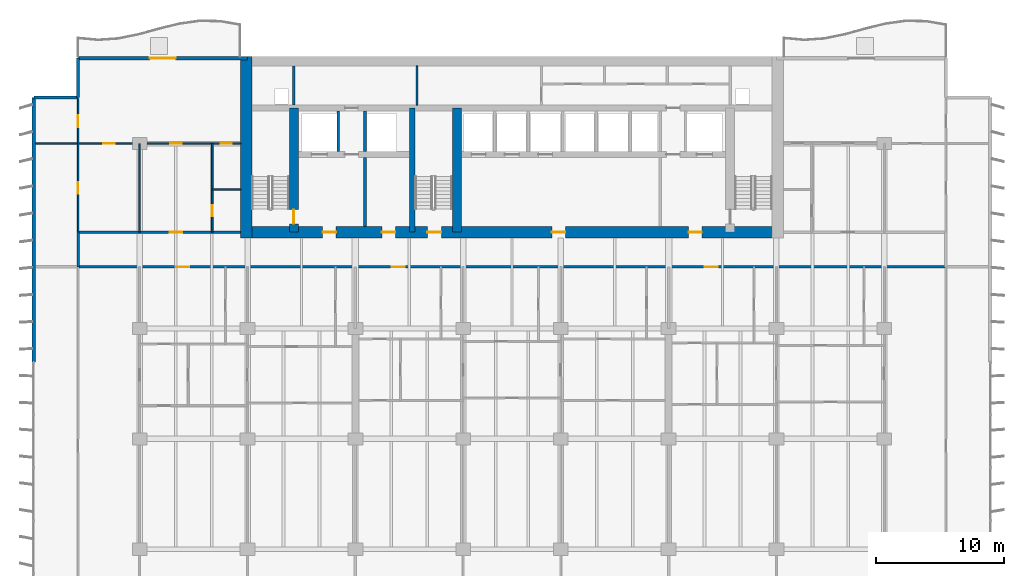
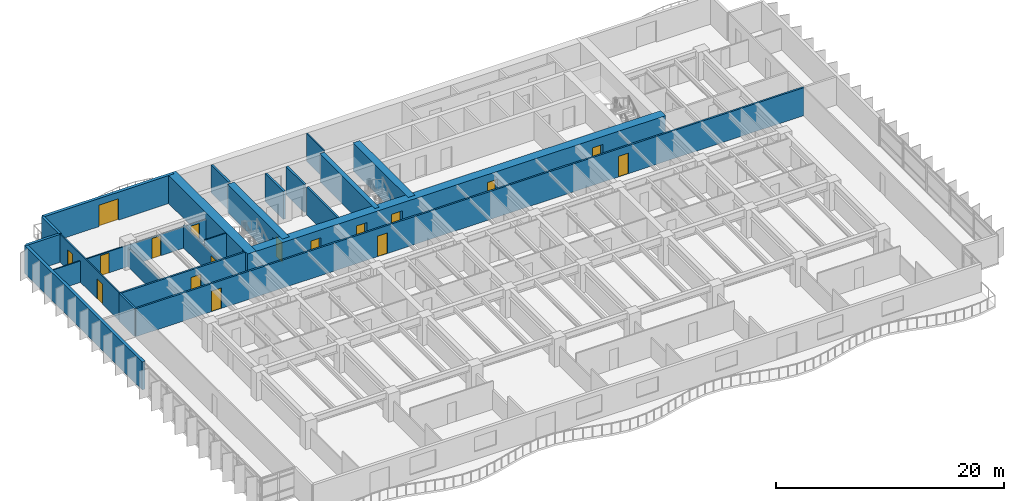
# One storey, part 9 of 15: 22 walls, 17 doors, 17 openings.
"""IFC4 building model written with IfcOpenShell, lengths in metres."""

import ifcopenshell
import ifcopenshell.guid

model = None  # the IFC model being written
_history = None  # IfcOwnerHistory: only IFC2X3 demands one
_inside = {}  # id of a spatial element -> (the spatial element, [elements in it])
_under = {}  # id of a project, library or spatial element -> (it, [spatial elements below it])
_declared = {}  # id of a project -> (the project, [libraries it declares])
_typed = {}  # id of a type object -> (the type object, [elements of that type])
_made_of = {}  # id of a material, layer set ... -> (it, [elements and type objects made of it])


def new_model(schema):
    """Start an empty IFC model of exactly this schema.

    Asked for "IFC4X3", IfcOpenShell would pick the latest addendum, in which some entities
    have other attributes; the version numbers below select the first issue.
    IFC2X3 requires an IfcOwnerHistory on every rooted entity: one is made here for all.
    """
    global model, _history
    if schema == "IFC4X3":
        model = ifcopenshell.file(schema_version=(4, 3, 0, 0))
    else:
        model = ifcopenshell.file(schema=schema)
    _inside.clear()
    _under.clear()
    _declared.clear()
    _typed.clear()
    _made_of.clear()
    _history = None
    if model.schema == "IFC2X3":
        org = make("IfcOrganization", Name="unknown")
        user = make(
            "IfcPersonAndOrganization",
            ThePerson=make("IfcPerson", FamilyName="unknown"),
            TheOrganization=org,
        )
        app = make(
            "IfcApplication",
            ApplicationDeveloper=org,
            Version="unknown",
            ApplicationFullName="unknown",
            ApplicationIdentifier="unknown",
        )
        _history = make(
            "IfcOwnerHistory",
            OwningUser=user,
            OwningApplication=app,
            ChangeAction="ADDED",
            CreationDate=0,
        )
    return model


def make(cls, **values):
    """One entity of the class cls with the attributes given. An attribute that is None is left unset."""
    return model.create_entity(
        cls, **{name: value for name, value in values.items() if value is not None}
    )


def rooted(cls, **values):
    """An entity with a GlobalId (a new one), such as an element, a storey or a relation."""
    return make(cls, GlobalId=ifcopenshell.guid.new(), OwnerHistory=_history, **values)


def si_unit(unit_type, name, prefix=None):
    """IfcSIUnit, for example si_unit("LENGTHUNIT", "METRE", prefix="MILLI")."""
    return make("IfcSIUnit", UnitType=unit_type, Prefix=prefix, Name=name)


def assignment(units):
    """IfcUnitAssignment: the units of a project."""
    return None if units is None else make("IfcUnitAssignment", Units=units)


def point(xyz):
    """IfcCartesianPoint."""
    return None if xyz is None else make("IfcCartesianPoint", Coordinates=xyz)


def direction(xyz):
    """IfcDirection."""
    return None if xyz is None else make("IfcDirection", DirectionRatios=xyz)


def frame(location, z_axis=None, x_axis=None):
    """IfcAxis2Placement3D, a coordinate frame: its origin and axes. An axis left out is left unset."""
    return make(
        "IfcAxis2Placement3D",
        Location=point(location),
        Axis=direction(z_axis),
        RefDirection=direction(x_axis),
    )


def frame_2d(location, x_axis=None):
    """IfcAxis2Placement2D, a coordinate frame in the plane: its origin and x axis."""
    return make(
        "IfcAxis2Placement2D", Location=point(location), RefDirection=direction(x_axis)
    )


def origin():
    """The frame at (0, 0, 0) with its axes left unset."""
    return frame((0.0, 0.0, 0.0))


def place(relative_to, where):
    """IfcLocalPlacement: puts the frame where relative to a parent placement (None: the world)."""
    return make(
        "IfcLocalPlacement", PlacementRelTo=relative_to, RelativePlacement=where
    )


def context(
    kind, dimensions, precision=None, world=None, true_north=None, identifier=None
):
    """IfcGeometricRepresentationContext, for example the 3D "Model" context."""
    return make(
        "IfcGeometricRepresentationContext",
        ContextIdentifier=identifier,
        ContextType=kind,
        CoordinateSpaceDimension=dimensions,
        Precision=precision,
        WorldCoordinateSystem=world,
        TrueNorth=true_north,
    )


def subcontext(parent, identifier, kind, view, scale=None):
    """IfcGeometricRepresentationSubContext, for example "Body" below "Model"."""
    return make(
        "IfcGeometricRepresentationSubContext",
        ContextIdentifier=identifier,
        ContextType=kind,
        ParentContext=parent,
        TargetScale=scale,
        TargetView=view,
    )


def project(units=None, contexts=None):
    """IfcProject with its units and contexts."""
    return rooted(
        "IfcProject",
        Name="project",
        RepresentationContexts=contexts,
        UnitsInContext=assignment(units),
    )


def spatial(cls, under=None, at=None, **own):
    """A site, building, storey or space (cls), placed at a placement, below another one or the project."""
    s = rooted(cls, ObjectPlacement=at, **own)
    if under is not None:
        _under.setdefault(under.id(), (under, []))[1].append(s)
    return s


def profile(cls, at=None, kind="AREA", **sizes):
    """A parametric profile (cls). Its sizes go by their IFC names, for example OverallWidth=200.0."""
    return make(cls, ProfileType=kind, Position=at, **sizes)


def rectangle(**sizes):
    """IfcRectangleProfileDef."""
    return profile("IfcRectangleProfileDef", **sizes)


def extrude(swept, where, along, depth):
    """IfcExtrudedAreaSolid: the profile swept, set in the frame where, extruded along a direction by depth."""
    return make(
        "IfcExtrudedAreaSolid",
        SweptArea=swept,
        Position=where,
        ExtrudedDirection=direction(along),
        Depth=depth,
    )


def shape(context_of_items, identifier, shape_type, items):
    """IfcShapeRepresentation: the items that make up one representation, for example the "Body"."""
    return make(
        "IfcShapeRepresentation",
        ContextOfItems=context_of_items,
        RepresentationIdentifier=identifier,
        RepresentationType=shape_type,
        Items=items,
    )


def material(Name=None, Category=None):
    """IfcMaterial."""
    return make("IfcMaterial", Name=Name, Category=Category)


def layer(
    of_material, thickness, ventilated=None, Name=None, Category=None, Priority=None
):
    """IfcMaterialLayer: one layer of a wall or slab, of a material (None: an air gap)."""
    return make(
        "IfcMaterialLayer",
        Material=of_material,
        LayerThickness=thickness,
        IsVentilated=ventilated,
        Name=Name,
        Category=Category,
        Priority=Priority,
    )


def layer_set(layers, Name=None):
    """IfcMaterialLayerSet."""
    return make("IfcMaterialLayerSet", MaterialLayers=layers, LayerSetName=Name)


def made_of(thing, what):
    """Note that an element or type object is made of a material, layer set ...; save() writes the relation."""
    if what is not None:
        _made_of.setdefault(what.id(), (what, []))[1].append(thing)
    return thing


def type_object(cls, material=None, **own):
    """A type object (cls), such as IfcWallType, which elements share."""
    return made_of(rooted(cls, **own), material)


def element(
    cls,
    number,
    at=None,
    inside=None,
    cuts=None,
    type_object=None,
    material=None,
    context=None,
    identifier="Body",
    shape_type=None,
    held_by="IfcProductDefinitionShape",
    body=None,
    shapes=None,
    **own,
):
    """One element of the class cls, such as IfcWall. Its Tag is "e" and its number.

    at: its placement. inside: the storey or other place that contains it. cuts: it is an
    opening in that element (IfcRelVoidsElement). A single representation is given by context,
    identifier, shape_type and body (its items); several are given by shapes. held_by: the class
    of the entity that holds the representations. save() writes the other relations.
    """
    e = rooted(cls, Tag="e%d" % number, ObjectPlacement=at, **own)
    if body is not None:
        shapes = [shape(context, identifier, shape_type, body)]
    if shapes is not None:
        e.Representation = make(held_by, Representations=shapes)
    if inside is not None:
        _inside.setdefault(inside.id(), (inside, []))[1].append(e)
    if cuts is not None:
        rooted(
            "IfcRelVoidsElement", RelatingBuildingElement=cuts, RelatedOpeningElement=e
        )
    if type_object is not None:
        _typed.setdefault(type_object.id(), (type_object, []))[1].append(e)
    return made_of(e, material)


def fill(opening, filler):
    """IfcRelFillsElement: the door or window that sits in an opening."""
    return rooted(
        "IfcRelFillsElement",
        RelatingOpeningElement=opening,
        RelatedBuildingElement=filler,
    )


def aggregate(whole, parts):
    """IfcRelAggregates: a whole, such as a stair, and the parts it consists of."""
    return rooted("IfcRelAggregates", RelatingObject=whole, RelatedObjects=parts)


def save(model, path):
    """Write the relations noted so far, then the file.

    IfcRelAggregates (storeys below a building ...), IfcRelContainedInSpatialStructure (elements
    in a storey), IfcRelDefinesByType, IfcRelAssociatesMaterial and IfcRelDeclares: one each for
    every whole, place, type object, material and project.
    """
    for whole, parts in _under.values():
        aggregate(whole, parts)
    for where, things in _inside.values():
        rooted(
            "IfcRelContainedInSpatialStructure",
            RelatedElements=things,
            RelatingStructure=where,
        )
    for kind, things in _typed.values():
        rooted("IfcRelDefinesByType", RelatedObjects=things, RelatingType=kind)
    for what, things in _made_of.values():
        rooted("IfcRelAssociatesMaterial", RelatedObjects=things, RelatingMaterial=what)
    for by, libraries in _declared.values():
        rooted("IfcRelDeclares", RelatingContext=by, RelatedDefinitions=libraries)
    model.write(path)


model = new_model("IFC4")

# Units and contexts
model_context = context("Model", 3, precision=1e-05, world=origin(), true_north=direction((0.0, 1.0)))
body_context = subcontext(model_context, "Body", "Model", "MODEL_VIEW")
ifc_project = project(units=[si_unit("LENGTHUNIT", "METRE"), si_unit("AREAUNIT", "SQUARE_METRE"), si_unit("VOLUMEUNIT", "CUBIC_METRE"), si_unit("PLANEANGLEUNIT", "RADIAN"), si_unit("MASSUNIT", "GRAM", prefix="KILO")], contexts=[model_context])

# Site, building, storey
site_placement = place(None, origin())
site = spatial("IfcSite", under=ifc_project, at=site_placement, CompositionType="ELEMENT")
building_placement = place(site_placement, origin())
building = spatial("IfcBuilding", under=site, at=building_placement, Name="Caelmar Bay Residences", CompositionType="ELEMENT")
storey_placement = place(building_placement, frame((0.0, 0.0, 76.199951171875)))
storey = spatial("IfcBuildingStorey", under=building, at=storey_placement, Name="L20", CompositionType="ELEMENT", Elevation=76.199951171875)

# Wall, opening, door
ifc_material_1 = material(Name="Concrete f'c 55 MPa (8,000 psi)", Category="concrete")
ifc_layer_1 = layer(ifc_material_1, 0.699951171875)
ifc_layer_set_1 = layer_set([ifc_layer_1], Name="Concrete f'c 55 MPa (8,000 psi)")
wall_type_1 = type_object("IfcWallType", Name="SW-COR-700", PredefinedType="SHEAR", material=ifc_layer_set_1)
wall_1_placement = place(storey_placement, frame((21.89990234375, 36.89990234375, 0.0), z_axis=(0.0, 0.0, 1.0), x_axis=(0.0, 1.0, 0.0)))
wall_1 = element("IfcWall", 1, at=wall_1_placement, inside=storey, type_object=wall_type_1, Name="L20 Core Structural Web Wall ST1E", PredefinedType="SHEAR", context=body_context, shape_type="SweptSolid", body=[
    extrude(rectangle(XDim=9.675048828125, YDim=0.699951171875, at=frame_2d((4.83740234375, 0.0))), origin(), (0.0, 0.0, 1.0), 3.0),
])
opening_1_placement = place(wall_1_placement, frame((0.64990234375, 0.0, 0.0)))
opening_1 = element("IfcOpeningElement", 2, at=opening_1_placement, cuts=wall_1, Name="Opening D-L20-108", PredefinedType="OPENING", context=body_context, shape_type="SweptSolid", body=[
    extrude(rectangle(XDim=1.10009765625, YDim=2.14990234375, at=frame_2d((0.550048828125, 1.074951171875))), frame((0.0, 0.35986328125, 0.0), z_axis=(0.0, -1.0, 0.0), x_axis=(1.0, 0.0, 0.0)), (0.0, 0.0, 1.0), 0.719970703125),
])
ifc_material_2 = material(Name="Fire-rated steel and walnut architectural door assembly", Category="steel")
ifc_layer_2 = layer(ifc_material_2, 0.050048828125)
ifc_layer_set_2 = layer_set([ifc_layer_2], Name="Fire-rated steel and walnut architectural door assembly")
door_type_1 = type_object("IfcDoorType", Name="D-STAIR-1100", OperationType="NOTDEFINED", PredefinedType="DOOR", material=ifc_layer_set_2)
door_1_placement = place(opening_1_placement, origin())
door_1 = element("IfcDoor", 3, at=door_1_placement, inside=storey, type_object=door_type_1, Name="L20 Firefighting Lobby West Door", OperationType="SINGLE_SWING_LEFT", OverallHeight=2.14990234375, OverallWidth=1.10009765625, PredefinedType="DOOR", context=body_context, shape_type="SweptSolid", body=[
    extrude(rectangle(XDim=1.10009765625, YDim=2.14990234375, at=frame_2d((0.550048828125, 1.074951171875))), frame((0.0, 0.02490234375, 0.0), z_axis=(0.0, -1.0, 0.0), x_axis=(1.0, 0.0, 0.0)), (0.0, 0.0, 1.0), 0.050048828125),
])
fill(opening_1, door_1)

# Wall
wall_2_placement = place(storey_placement, frame((34.60009765625, 36.89990234375, 0.0), z_axis=(0.0, 0.0, 1.0), x_axis=(0.0, 1.0, 0.0)))
element("IfcWall", 4, at=wall_2_placement, inside=storey, type_object=wall_type_1, Name="L20 Core Structural Web Wall ST3E", PredefinedType="SHEAR", context=body_context, shape_type="SweptSolid", body=[
    extrude(rectangle(XDim=9.675048828125, YDim=0.699951171875, at=frame_2d((4.83740234375, 0.0))), origin(), (0.0, 0.0, 1.0), 3.0),
])

# Wall, openings, doors
ifc_material_3 = material(Name="Concrete f'c 70 MPa (10,000 psi)", Category="concrete")
ifc_layer_3 = layer(ifc_material_3, 0.89990234375)
ifc_layer_set_3 = layer_set([ifc_layer_3], Name="Concrete f'c 70 MPa (10,000 psi)")
wall_type_2 = type_object("IfcWallType", Name="SW-COR-900", PredefinedType="SHEAR", material=ifc_layer_set_3)
wall_3_placement = place(storey_placement, frame((17.75, 36.89990234375, 0.0), z_axis=(0.0, 0.0, 1.0), x_axis=(1.0, 0.0, 0.0)))
wall_3 = element("IfcWall", 5, at=wall_3_placement, inside=storey, type_object=wall_type_2, Name="L20 Rear Core South Shear Wall", PredefinedType="SHEAR", context=body_context, shape_type="SweptSolid", body=[
    extrude(rectangle(XDim=42.300048828125, YDim=0.89990234375, at=frame_2d((21.14990234375, 0.0))), origin(), (0.0, 0.0, 1.0), 3.0),
])
opening_2_placement = place(wall_3_placement, frame((14.550048828125, 0.0, 0.0)))
opening_2 = element("IfcOpeningElement", 6, at=opening_2_placement, cuts=wall_3, Name="Opening D-L20-106", PredefinedType="OPENING", context=body_context, shape_type="SweptSolid", body=[
    extrude(rectangle(XDim=1.10009765625, YDim=2.14990234375, at=frame_2d((0.550048828125, 1.074951171875))), frame((0.0, 0.4599609375, 0.0), z_axis=(0.0, -1.0, 0.0), x_axis=(1.0, 0.0, 0.0)), (0.0, 0.0, 1.0), 0.919921875),
])
opening_3_placement = place(wall_3_placement, frame((6.39990234375, 0.0, 0.0)))
opening_3 = element("IfcOpeningElement", 7, at=opening_3_placement, cuts=wall_3, Name="Opening D-L20-107", PredefinedType="OPENING", context=body_context, shape_type="SweptSolid", body=[
    extrude(rectangle(XDim=1.050048828125, YDim=2.14990234375, at=frame_2d((0.52490234375, 1.074951171875))), frame((0.0, 0.4599609375, 0.0), z_axis=(0.0, -1.0, 0.0), x_axis=(1.0, 0.0, 0.0)), (0.0, 0.0, 1.0), 0.919921875),
])
opening_4_placement = place(wall_3_placement, frame((34.89990234375, 0.0, 0.0)))
opening_4 = element("IfcOpeningElement", 8, at=opening_4_placement, cuts=wall_3, Name="Opening D-L20-110", PredefinedType="OPENING", context=body_context, shape_type="SweptSolid", body=[
    extrude(rectangle(XDim=1.050048828125, YDim=2.14990234375, at=frame_2d((0.52490234375, 1.074951171875))), frame((0.0, 0.4599609375, 0.0), z_axis=(0.0, -1.0, 0.0), x_axis=(1.0, 0.0, 0.0)), (0.0, 0.0, 1.0), 0.919921875),
])
opening_5_placement = place(wall_3_placement, frame((11.012451171875, 0.0, 0.0)))
opening_5 = element("IfcOpeningElement", 9, at=opening_5_placement, cuts=wall_3, Name="Opening D-L20-113", PredefinedType="OPENING", context=body_context, shape_type="SweptSolid", body=[
    extrude(rectangle(XDim=1.050048828125, YDim=2.14990234375, at=frame_2d((0.52490234375, 1.074951171875))), frame((0.0, 0.4599609375, 0.0), z_axis=(0.0, -1.0, 0.0), x_axis=(1.0, 0.0, 0.0)), (0.0, 0.0, 1.0), 0.919921875),
])
opening_6_placement = place(wall_3_placement, frame((24.25, 0.0, 0.0)))
opening_6 = element("IfcOpeningElement", 10, at=opening_6_placement, cuts=wall_3, Name="Opening D-L20-114", PredefinedType="OPENING", context=body_context, shape_type="SweptSolid", body=[
    extrude(rectangle(XDim=1.050048828125, YDim=2.14990234375, at=frame_2d((0.52490234375, 1.074951171875))), frame((0.0, 0.4599609375, 0.0), z_axis=(0.0, -1.0, 0.0), x_axis=(1.0, 0.0, 0.0)), (0.0, 0.0, 1.0), 0.919921875),
])
ifc_layer_4 = layer(ifc_material_2, 0.050048828125)
ifc_layer_set_4 = layer_set([ifc_layer_4], Name="Fire-rated steel and walnut architectural door assembly")
door_type_2 = type_object("IfcDoorType", Name="D-FSAE-1050", OperationType="NOTDEFINED", PredefinedType="DOOR", material=ifc_layer_set_4)
door_2_placement = place(opening_3_placement, origin())
door_2 = element("IfcDoor", 11, at=door_2_placement, inside=storey, type_object=door_type_2, Name="L20 Firefighting Lobby West Door", OperationType="SINGLE_SWING_RIGHT", OverallHeight=2.14990234375, OverallWidth=1.050048828125, PredefinedType="DOOR", context=body_context, shape_type="SweptSolid", body=[
    extrude(rectangle(XDim=1.050048828125, YDim=2.14990234375, at=frame_2d((0.52490234375, 1.074951171875))), frame((0.0, 0.02490234375, 0.0), z_axis=(0.0, -1.0, 0.0), x_axis=(1.0, 0.0, 0.0)), (0.0, 0.0, 1.0), 0.050048828125),
])
fill(opening_3, door_2)
door_3_placement = place(opening_4_placement, origin())
door_3 = element("IfcDoor", 12, at=door_3_placement, inside=storey, type_object=door_type_2, Name="L20 Firefighting Lobby East Door", OperationType="SINGLE_SWING_LEFT", OverallHeight=2.14990234375, OverallWidth=1.050048828125, PredefinedType="DOOR", context=body_context, shape_type="SweptSolid", body=[
    extrude(rectangle(XDim=1.050048828125, YDim=2.14990234375, at=frame_2d((0.52490234375, 1.074951171875))), frame((0.0, 0.02490234375, 0.0), z_axis=(0.0, -1.0, 0.0), x_axis=(1.0, 0.0, 0.0)), (0.0, 0.0, 1.0), 0.050048828125),
])
fill(opening_4, door_3)
door_4_placement = place(opening_5_placement, origin())
door_4 = element("IfcDoor", 13, at=door_4_placement, inside=storey, type_object=door_type_2, Name="L20 West Lift Lobby Door", OperationType="SINGLE_SWING_RIGHT", OverallHeight=2.14990234375, OverallWidth=1.050048828125, PredefinedType="DOOR", context=body_context, shape_type="SweptSolid", body=[
    extrude(rectangle(XDim=1.050048828125, YDim=2.14990234375, at=frame_2d((0.52490234375, 1.074951171875))), frame((0.0, 0.02490234375, 0.0), z_axis=(0.0, -1.0, 0.0), x_axis=(1.0, 0.0, 0.0)), (0.0, 0.0, 1.0), 0.050048828125),
])
fill(opening_5, door_4)
door_5_placement = place(opening_6_placement, origin())
door_5 = element("IfcDoor", 14, at=door_5_placement, inside=storey, type_object=door_type_2, Name="L20 Passenger Lift Lobby Door", OperationType="SINGLE_SWING_LEFT", OverallHeight=2.14990234375, OverallWidth=1.050048828125, PredefinedType="DOOR", context=body_context, shape_type="SweptSolid", body=[
    extrude(rectangle(XDim=1.050048828125, YDim=2.14990234375, at=frame_2d((0.52490234375, 1.074951171875))), frame((0.0, 0.02490234375, 0.0), z_axis=(0.0, -1.0, 0.0), x_axis=(1.0, 0.0, 0.0)), (0.0, 0.0, 1.0), 0.050048828125),
])
fill(opening_6, door_5)
door_6_placement = place(opening_2_placement, origin())
door_6 = element("IfcDoor", 15, at=door_6_placement, inside=storey, type_object=door_type_1, Name="L20 Exit Stair ST3 Door", OperationType="SINGLE_SWING_LEFT", OverallHeight=2.14990234375, OverallWidth=1.10009765625, PredefinedType="DOOR", context=body_context, shape_type="SweptSolid", body=[
    extrude(rectangle(XDim=1.10009765625, YDim=2.14990234375, at=frame_2d((0.550048828125, 1.074951171875))), frame((0.0, 0.02490234375, 0.0), z_axis=(0.0, -1.0, 0.0), x_axis=(1.0, 0.0, 0.0)), (0.0, 0.0, 1.0), 0.050048828125),
])
fill(opening_2, door_6)

# Walls
wall_4_placement = place(storey_placement, frame((18.199951171875, 36.449951171875, 0.0), z_axis=(0.0, 0.0, 1.0), x_axis=(0.0, 1.0, 0.0)))
element("IfcWall", 16, at=wall_4_placement, inside=storey, type_object=wall_type_2, Name="L20 Rear Core West Shear Wall", PredefinedType="SHEAR", context=body_context, shape_type="SweptSolid", body=[
    extrude(rectangle(XDim=14.150146484375, YDim=0.89990234375, at=frame_2d((7.0751953125, 0.0))), origin(), (0.0, 0.0, 1.0), 3.0),
])
ifc_layer_5 = layer(ifc_material_3, 0.449951171875)
ifc_layer_set_5 = layer_set([ifc_layer_5], Name="Concrete f'c 70 MPa (10,000 psi)")
wall_type_3 = type_object("IfcWallType", Name="SW-WEB-450", PredefinedType="SHEAR", material=ifc_layer_set_5)
wall_5_placement = place(storey_placement, frame((31.125, 36.89990234375, 0.0), z_axis=(0.0, 0.0, 1.0), x_axis=(0.0, 1.0, 0.0)))
element("IfcWall", 17, at=wall_5_placement, inside=storey, type_object=wall_type_3, Name="L20 Core Structural Web Wall ST3W", PredefinedType="SHEAR", context=body_context, shape_type="SweptSolid", body=[
    extrude(rectangle(XDim=9.675048828125, YDim=0.449951171875, at=frame_2d((4.83740234375, 0.0))), origin(), (0.0, 0.0, 1.0), 3.0),
])
ifc_material_4 = material(Name="Double-stud acoustic fire-rated gypsum partition 180 mm")
ifc_layer_6 = layer(ifc_material_4, 0.179931640625)
ifc_layer_set_6 = layer_set([ifc_layer_6], Name="Double-stud acoustic fire-rated gypsum partition 180 mm")
wall_type_4 = type_object("IfcWallType", Name="W-COR-200", PredefinedType="PARTITIONING", material=ifc_layer_set_6)
wall_6_placement = place(storey_placement, frame((5.10009765625, 34.205078125, 0.0), z_axis=(0.0, 0.0, 1.0), x_axis=(0.0, 1.0, 0.0)))
element("IfcWall", 18, at=wall_6_placement, inside=storey, type_object=wall_type_4, Name="L20 Partition Wall V002", PredefinedType="PARTITIONING", context=body_context, shape_type="SweptSolid", body=[
    extrude(rectangle(XDim=2.69482421875, YDim=0.179931640625, at=frame_2d((1.347412109375, 0.0))), origin(), (0.0, 0.0, 1.0), 3.0),
])

# Wall, openings, doors
wall_7_placement = place(storey_placement, frame((5.10498046875, 34.199951171875, 0.0), z_axis=(0.0, 0.0, 1.0), x_axis=(1.0, 0.0, 0.0)))
wall_7 = element("IfcWall", 19, at=wall_7_placement, inside=storey, type_object=wall_type_4, Name="L20 Partition Wall H074", PredefinedType="PARTITIONING", context=body_context, shape_type="SweptSolid", body=[
    extrude(rectangle(XDim=67.594970703125, YDim=0.179931640625, at=frame_2d((33.79736328125, 0.0))), origin(), (0.0, 0.0, 1.0), 3.0),
])
opening_7_placement = place(wall_7_placement, frame((7.639404296875, 0.0, 0.0)))
opening_7 = element("IfcOpeningElement", 20, at=opening_7_placement, cuts=wall_7, Name="Opening D-L20-121", PredefinedType="OPENING", context=body_context, shape_type="SweptSolid", body=[
    extrude(rectangle(XDim=1.0, YDim=2.199951171875, at=frame_2d((0.5, 1.10009765625))), frame((0.0, 0.099853515625, 0.0), z_axis=(0.0, -1.0, 0.0), x_axis=(1.0, 0.0, 0.0)), (0.0, 0.0, 1.0), 0.199951171875),
])
opening_8_placement = place(wall_7_placement, frame((24.423095703125, 0.0, 0.0)))
opening_8 = element("IfcOpeningElement", 21, at=opening_8_placement, cuts=wall_7, Name="Opening D-L20-132", PredefinedType="OPENING", context=body_context, shape_type="SweptSolid", body=[
    extrude(rectangle(XDim=1.0, YDim=2.199951171875, at=frame_2d((0.5, 1.10009765625))), frame((0.0, 0.099853515625, 0.0), z_axis=(0.0, -1.0, 0.0), x_axis=(1.0, 0.0, 0.0)), (0.0, 0.0, 1.0), 0.199951171875),
])
opening_9_placement = place(wall_7_placement, frame((48.824951171875, 0.0, 0.0)))
opening_9 = element("IfcOpeningElement", 22, at=opening_9_placement, cuts=wall_7, Name="Opening D-L20-147", PredefinedType="OPENING", context=body_context, shape_type="SweptSolid", body=[
    extrude(rectangle(XDim=1.0, YDim=2.199951171875, at=frame_2d((0.5, 1.10009765625))), frame((0.0, 0.099853515625, 0.0), z_axis=(0.0, -1.0, 0.0), x_axis=(1.0, 0.0, 0.0)), (0.0, 0.0, 1.0), 0.199951171875),
])
ifc_layer_7 = layer(ifc_material_2, 0.050048828125)
ifc_layer_set_7 = layer_set([ifc_layer_7], Name="Fire-rated steel and walnut architectural door assembly")
door_type_3 = type_object("IfcDoorType", Name="D-UNIT-1000", OperationType="NOTDEFINED", PredefinedType="DOOR", material=ifc_layer_set_7)
door_7_placement = place(opening_7_placement, origin())
door_7 = element("IfcDoor", 23, at=door_7_placement, inside=storey, type_object=door_type_3, Name="L20 Residence 01 Apartment Hall Door", OperationType="SINGLE_SWING_RIGHT", OverallHeight=2.199951171875, OverallWidth=1.0, PredefinedType="DOOR", context=body_context, shape_type="SweptSolid", body=[
    extrude(rectangle(XDim=1.0, YDim=2.199951171875, at=frame_2d((0.5, 1.10009765625))), frame((0.0, 0.02490234375, 0.0), z_axis=(0.0, -1.0, 0.0), x_axis=(1.0, 0.0, 0.0)), (0.0, 0.0, 1.0), 0.050048828125),
])
fill(opening_7, door_7)
door_8_placement = place(opening_8_placement, origin())
door_8 = element("IfcDoor", 24, at=door_8_placement, inside=storey, type_object=door_type_3, Name="L20 Residence 02 Apartment Hall Door", OperationType="SINGLE_SWING_LEFT", OverallHeight=2.199951171875, OverallWidth=1.0, PredefinedType="DOOR", context=body_context, shape_type="SweptSolid", body=[
    extrude(rectangle(XDim=1.0, YDim=2.199951171875, at=frame_2d((0.5, 1.10009765625))), frame((0.0, 0.02490234375, 0.0), z_axis=(0.0, -1.0, 0.0), x_axis=(1.0, 0.0, 0.0)), (0.0, 0.0, 1.0), 0.050048828125),
])
fill(opening_8, door_8)
door_9_placement = place(opening_9_placement, origin())
door_9 = element("IfcDoor", 25, at=door_9_placement, inside=storey, type_object=door_type_3, Name="L20 Residence 03 Apartment Hall Door", OperationType="SINGLE_SWING_RIGHT", OverallHeight=2.199951171875, OverallWidth=1.0, PredefinedType="DOOR", context=body_context, shape_type="SweptSolid", body=[
    extrude(rectangle(XDim=1.0, YDim=2.199951171875, at=frame_2d((0.5, 1.10009765625))), frame((0.0, 0.02490234375, 0.0), z_axis=(0.0, -1.0, 0.0), x_axis=(1.0, 0.0, 0.0)), (0.0, 0.0, 1.0), 0.050048828125),
])
fill(opening_9, door_9)

# Wall, opening, door
wall_8_placement = place(storey_placement, frame((5.10009765625, 36.89990234375, 0.0), z_axis=(0.0, 0.0, 1.0), x_axis=(1.0, 0.0, 0.0)))
wall_8 = element("IfcWall", 26, at=wall_8_placement, inside=storey, type_object=wall_type_4, Name="L20 Partition Wall H076", PredefinedType="PARTITIONING", context=body_context, shape_type="SweptSolid", body=[
    extrude(rectangle(XDim=12.64501953125, YDim=0.179931640625, at=frame_2d((6.322509765625, 0.0))), origin(), (0.0, 0.0, 1.0), 3.0),
])
opening_10_placement = place(wall_8_placement, frame((7.125, 0.0, 0.0)))
opening_10 = element("IfcOpeningElement", 27, at=opening_10_placement, cuts=wall_8, Name="Opening D-L20-161", PredefinedType="OPENING", context=body_context, shape_type="SweptSolid", body=[
    extrude(rectangle(XDim=1.0, YDim=2.199951171875, at=frame_2d((0.5, 1.10009765625))), frame((0.0, 0.099853515625, 0.0), z_axis=(0.0, -1.0, 0.0), x_axis=(1.0, 0.0, 0.0)), (0.0, 0.0, 1.0), 0.199951171875),
])
door_10_placement = place(opening_10_placement, origin())
door_10 = element("IfcDoor", 28, at=door_10_placement, inside=storey, type_object=door_type_3, Name="L20 Residence WA Kitchen Door", OperationType="SINGLE_SWING_RIGHT", OverallHeight=2.199951171875, OverallWidth=1.0, PredefinedType="DOOR", context=body_context, shape_type="SweptSolid", body=[
    extrude(rectangle(XDim=1.0, YDim=2.199951171875, at=frame_2d((0.5, 1.10009765625))), frame((0.0, 0.02490234375, 0.0), z_axis=(0.0, -1.0, 0.0), x_axis=(1.0, 0.0, 0.0)), (0.0, 0.0, 1.0), 0.050048828125),
])
fill(opening_10, door_10)

# Walls
ifc_material_5 = material(Name="Precast concrete f'c 40 MPa (6,000 psi)", Category="concrete")
ifc_layer_8 = layer(ifc_material_5, 0.25)
ifc_layer_set_8 = layer_set([ifc_layer_8], Name="Precast concrete f'c 40 MPa (6,000 psi)")
wall_type_5 = type_object("IfcWallType", Name="W-EXT-250", PredefinedType="ELEMENTEDWALL", material=ifc_layer_set_8)
wall_9_placement = place(storey_placement, frame((1.64990234375, 47.39990234375, 0.0), z_axis=(0.0, 0.0, 1.0), x_axis=(1.0, 0.0, 0.0)))
element("IfcWall", 29, at=wall_9_placement, inside=storey, type_object=wall_type_5, Name="L20 NNW-H Notch Wall", PredefinedType="ELEMENTEDWALL", context=body_context, shape_type="SweptSolid", body=[
    extrude(rectangle(XDim=3.4501953125, YDim=0.25, at=frame_2d((1.72509765625, 0.0))), origin(), (0.0, 0.0, 1.0), 3.0),
])
wall_10_placement = place(storey_placement, frame((5.10009765625, 47.39990234375, 0.0), z_axis=(0.0, 0.0, 1.0), x_axis=(0.0, 1.0, 0.0)))
element("IfcWall", 30, at=wall_10_placement, inside=storey, type_object=wall_type_5, Name="L20 NNW-V Notch Wall", PredefinedType="ELEMENTEDWALL", context=body_context, shape_type="SweptSolid", body=[
    extrude(rectangle(XDim=3.050048828125, YDim=0.25, at=frame_2d((1.52490234375, 0.0))), origin(), (0.0, 0.0, 1.0), 3.0),
])
ifc_layer_9 = layer(ifc_material_5, 0.300048828125)
ifc_layer_set_9 = layer_set([ifc_layer_9], Name="Precast concrete f'c 40 MPa (6,000 psi)")
wall_type_6 = type_object("IfcWallType", Name="W-EXT-300", PredefinedType="STANDARD", material=ifc_layer_set_9)
wall_11_placement = place(storey_placement, frame((1.64990234375, 26.800048828125, 0.0), z_axis=(0.0, 0.0, 1.0), x_axis=(0.0, 1.0, 0.0)))
element("IfcWall", 31, at=wall_11_placement, inside=storey, type_object=wall_type_6, Name="L20 West Rear Exterior Wall", PredefinedType="STANDARD", context=body_context, shape_type="SweptSolid", body=[
    extrude(rectangle(XDim=20.599853515625, YDim=0.300048828125, at=frame_2d((10.2998046875, 0.0))), origin(), (0.0, 0.0, 1.0), 3.0),
])

# Wall, opening, door
wall_12_placement = place(storey_placement, frame((5.10009765625, 50.449951171875, 0.0), z_axis=(0.0, 0.0, 1.0), x_axis=(1.0, 0.0, 0.0)))
wall_12 = element("IfcWall", 32, at=wall_12_placement, inside=storey, type_object=wall_type_6, Name="L20 North-West Wing Exterior Wall", PredefinedType="STANDARD", context=body_context, shape_type="SweptSolid", body=[
    extrude(rectangle(XDim=13.199951171875, YDim=0.300048828125, at=frame_2d((6.60009765625, 0.0))), origin(), (0.0, 0.0, 1.0), 3.0),
])
opening_11_placement = place(wall_12_placement, frame((5.60009765625, 0.0, 0.0)))
opening_11 = element("IfcOpeningElement", 33, at=opening_11_placement, cuts=wall_12, Name="Opening L20-BDNW", PredefinedType="OPENING", context=body_context, shape_type="SweptSolid", body=[
    extrude(rectangle(XDim=2.0, YDim=2.300048828125, at=frame_2d((1.0, 1.14990234375))), frame((0.0, 0.159912109375, 0.0), z_axis=(0.0, -1.0, 0.0), x_axis=(1.0, 0.0, 0.0)), (0.0, 0.0, 1.0), 0.320068359375),
])
ifc_material_6 = material(Name="Anodised bronze thermally broken sliding glass door", Category="glass")
ifc_layer_10 = layer(ifc_material_6, 0.050048828125)
ifc_layer_set_10 = layer_set([ifc_layer_10], Name="Anodised bronze thermally broken sliding glass door")
door_type_4 = type_object("IfcDoorType", Name="D-BAL-2000", OperationType="DOUBLE_DOOR_SLIDING", PredefinedType="DOOR", material=ifc_layer_set_10)
door_11_placement = place(opening_11_placement, origin())
door_11 = element("IfcDoor", 34, at=door_11_placement, inside=storey, type_object=door_type_4, Name="L20 North-West Balcony Door", OperationType="DOUBLE_DOOR_SLIDING", OverallHeight=2.300048828125, OverallWidth=2.0, PredefinedType="DOOR", context=body_context, shape_type="SweptSolid", body=[
    extrude(rectangle(XDim=2.0, YDim=2.300048828125, at=frame_2d((1.0, 1.14990234375))), frame((0.0, 0.02490234375, 0.0), z_axis=(0.0, -1.0, 0.0), x_axis=(1.0, 0.0, 0.0)), (0.0, 0.0, 1.0), 0.050048828125),
])
fill(opening_11, door_11)

# Walls
ifc_material_7 = material(Name="Fire-rated masonry and gypsum shaftliner assembly 200 mm", Category="masonry")
ifc_layer_11 = layer(ifc_material_7, 0.199951171875)
ifc_layer_set_11 = layer_set([ifc_layer_11], Name="Fire-rated masonry and gypsum shaftliner assembly 200 mm")
wall_type_7 = type_object("IfcWallType", Name="W-FSAE-200", PredefinedType="PARTITIONING", material=ifc_layer_set_11)
wall_13_placement = place(storey_placement, frame((21.89990234375, 46.794921875, 0.0), z_axis=(0.0, 0.0, 1.0), x_axis=(0.0, 1.0, 0.0)))
element("IfcWall", 35, at=wall_13_placement, inside=storey, type_object=wall_type_7, Name="L20 Partition Wall V012", PredefinedType="PARTITIONING", context=body_context, shape_type="SweptSolid", body=[
    extrude(rectangle(XDim=3.06005859375, YDim=0.199951171875, at=frame_2d((1.530029296875, 0.0))), origin(), (0.0, 0.0, 1.0), 3.0),
])
wall_14_placement = place(storey_placement, frame((25.35009765625, 43.169921875, 0.0), z_axis=(0.0, 0.0, 1.0), x_axis=(0.0, 1.0, 0.0)))
element("IfcWall", 36, at=wall_14_placement, inside=storey, type_object=wall_type_7, Name="L20 Partition Wall V014", PredefinedType="PARTITIONING", context=body_context, shape_type="SweptSolid", body=[
    extrude(rectangle(XDim=3.18505859375, YDim=0.199951171875, at=frame_2d((1.592529296875, 0.0))), origin(), (0.0, 0.0, 1.0), 3.0),
])
wall_15_placement = place(storey_placement, frame((27.449951171875, 37.344970703125, 0.0), z_axis=(0.0, 0.0, 1.0), x_axis=(0.0, 1.0, 0.0)))
element("IfcWall", 37, at=wall_15_placement, inside=storey, type_object=wall_type_7, Name="L20 Partition Wall V018", PredefinedType="PARTITIONING", context=body_context, shape_type="SweptSolid", body=[
    extrude(rectangle(XDim=5.385009765625, YDim=0.199951171875, at=frame_2d((2.6923828125, 0.0))), origin(), (0.0, 0.0, 1.0), 3.0),
])
wall_16_placement = place(storey_placement, frame((27.449951171875, 43.169921875, 0.0), z_axis=(0.0, 0.0, 1.0), x_axis=(0.0, 1.0, 0.0)))
element("IfcWall", 38, at=wall_16_placement, inside=storey, type_object=wall_type_7, Name="L20 Partition Wall V019", PredefinedType="PARTITIONING", context=body_context, shape_type="SweptSolid", body=[
    extrude(rectangle(XDim=3.18505859375, YDim=0.199951171875, at=frame_2d((1.592529296875, 0.0))), origin(), (0.0, 0.0, 1.0), 3.0),
])

# Wall, openings, doors
ifc_material_8 = material(Name="Acoustic metal-stud gypsum partition 120 mm")
ifc_layer_12 = layer(ifc_material_8, 0.1201171875)
ifc_layer_set_12 = layer_set([ifc_layer_12], Name="Acoustic metal-stud gypsum partition 120 mm")
wall_type_8 = type_object("IfcWallType", Name="W-PRT-120", PredefinedType="PARTITIONING", material=ifc_layer_set_12)
wall_17_placement = place(storey_placement, frame((5.10009765625, 36.905029296875, 0.0), z_axis=(0.0, 0.0, 1.0), x_axis=(0.0, 1.0, 0.0)))
wall_17 = element("IfcWall", 39, at=wall_17_placement, inside=storey, type_object=wall_type_8, Name="L20 Partition Wall V003", PredefinedType="PARTITIONING", context=body_context, shape_type="SweptSolid", body=[
    extrude(rectangle(XDim=10.375, YDim=0.1201171875, at=frame_2d((5.1875, 0.0))), origin(), (0.0, 0.0, 1.0), 3.0),
])
opening_12_placement = place(wall_17_placement, frame((2.99755859375, 0.0, 0.0)))
opening_12 = element("IfcOpeningElement", 40, at=opening_12_placement, cuts=wall_17, Name="Opening D-L20-165", PredefinedType="OPENING", context=body_context, shape_type="SweptSolid", body=[
    extrude(rectangle(XDim=0.89990234375, YDim=2.14990234375, at=frame_2d((0.449951171875, 1.074951171875))), frame((0.0, 0.070068359375, 0.0), z_axis=(0.0, -1.0, 0.0), x_axis=(1.0, 0.0, 0.0)), (0.0, 0.0, 1.0), 0.14013671875),
])
opening_13_placement = place(wall_17_placement, frame((8.18505859375, 0.0, 0.0)))
opening_13 = element("IfcOpeningElement", 41, at=opening_13_placement, cuts=wall_17, Name="Opening D-L20-166", PredefinedType="OPENING", context=body_context, shape_type="SweptSolid", body=[
    extrude(rectangle(XDim=0.89990234375, YDim=2.14990234375, at=frame_2d((0.449951171875, 1.074951171875))), frame((0.0, 0.070068359375, 0.0), z_axis=(0.0, -1.0, 0.0), x_axis=(1.0, 0.0, 0.0)), (0.0, 0.0, 1.0), 0.14013671875),
])
ifc_material_9 = material(Name="Solid walnut timber interior door leaf and frame", Category="wood")
ifc_layer_13 = layer(ifc_material_9, 0.050048828125)
ifc_layer_set_13 = layer_set([ifc_layer_13], Name="Solid walnut timber interior door leaf and frame")
door_type_5 = type_object("IfcDoorType", Name="D-ROOM-900", OperationType="NOTDEFINED", PredefinedType="DOOR", material=ifc_layer_set_13)
door_12_placement = place(opening_12_placement, origin())
door_12 = element("IfcDoor", 42, at=door_12_placement, inside=storey, type_object=door_type_5, Name="L20 Residence WA Sun Study Door", OperationType="SINGLE_SWING_RIGHT", OverallHeight=2.14990234375, OverallWidth=0.89990234375, PredefinedType="DOOR", context=body_context, shape_type="SweptSolid", body=[
    extrude(rectangle(XDim=0.89990234375, YDim=2.14990234375, at=frame_2d((0.449951171875, 1.074951171875))), frame((0.0, 0.02490234375, 0.0), z_axis=(0.0, -1.0, 0.0), x_axis=(1.0, 0.0, 0.0)), (0.0, 0.0, 1.0), 0.050048828125),
])
fill(opening_12, door_12)
door_13_placement = place(opening_13_placement, origin())
door_13 = element("IfcDoor", 43, at=door_13_placement, inside=storey, type_object=door_type_5, Name="L20 Residence WA North Sitting Alcove Door", OperationType="SINGLE_SWING_LEFT", OverallHeight=2.14990234375, OverallWidth=0.89990234375, PredefinedType="DOOR", context=body_context, shape_type="SweptSolid", body=[
    extrude(rectangle(XDim=0.89990234375, YDim=2.14990234375, at=frame_2d((0.449951171875, 1.074951171875))), frame((0.0, 0.02490234375, 0.0), z_axis=(0.0, -1.0, 0.0), x_axis=(1.0, 0.0, 0.0)), (0.0, 0.0, 1.0), 0.050048828125),
])
fill(opening_13, door_13)

# Wall
wall_18_placement = place(storey_placement, frame((9.89990234375, 36.89990234375, 0.0), z_axis=(0.0, 0.0, 1.0), x_axis=(0.0, 1.0, 0.0)))
element("IfcWall", 44, at=wall_18_placement, inside=storey, type_object=wall_type_8, Name="L20 Partition Wall V006", PredefinedType="PARTITIONING", context=body_context, shape_type="SweptSolid", body=[
    extrude(rectangle(XDim=6.900146484375, YDim=0.1201171875, at=frame_2d((3.4501953125, 0.0))), origin(), (0.0, 0.0, 1.0), 2.06005859375),
])

# Wall, opening, door
wall_19_placement = place(storey_placement, frame((15.550048828125, 36.89990234375, 0.0), z_axis=(0.0, 0.0, 1.0), x_axis=(0.0, 1.0, 0.0)))
wall_19 = element("IfcWall", 45, at=wall_19_placement, inside=storey, type_object=wall_type_8, Name="L20 Partition Wall V008", PredefinedType="PARTITIONING", context=body_context, shape_type="SweptSolid", body=[
    extrude(rectangle(XDim=6.900146484375, YDim=0.1201171875, at=frame_2d((3.4501953125, 0.0))), origin(), (0.0, 0.0, 1.0), 2.448974609375),
])
opening_14_placement = place(wall_19_placement, frame((1.23095703125, 0.0, 0.0)))
opening_14 = element("IfcOpeningElement", 46, at=opening_14_placement, cuts=wall_19, Name="Opening D-L20-163", PredefinedType="OPENING", context=body_context, shape_type="SweptSolid", body=[
    extrude(rectangle(XDim=0.85009765625, YDim=2.10009765625, at=frame_2d((0.425048828125, 1.050048828125))), frame((0.0, 0.070068359375, 0.0), z_axis=(0.0, -1.0, 0.0), x_axis=(1.0, 0.0, 0.0)), (0.0, 0.0, 1.0), 0.14013671875),
])
ifc_layer_14 = layer(ifc_material_9, 0.050048828125)
ifc_layer_set_14 = layer_set([ifc_layer_14], Name="Solid walnut timber interior door leaf and frame")
door_type_6 = type_object("IfcDoorType", Name="D-BATH-850", OperationType="NOTDEFINED", PredefinedType="DOOR", material=ifc_layer_set_14)
door_14_placement = place(opening_14_placement, origin())
door_14 = element("IfcDoor", 47, at=door_14_placement, inside=storey, type_object=door_type_6, Name="L20 Residence WA Walk-In Closet Door", OperationType="SINGLE_SWING_RIGHT", OverallHeight=2.10009765625, OverallWidth=0.85009765625, PredefinedType="DOOR", context=body_context, shape_type="SweptSolid", body=[
    extrude(rectangle(XDim=0.85009765625, YDim=2.10009765625, at=frame_2d((0.425048828125, 1.050048828125))), frame((0.0, 0.02490234375, 0.0), z_axis=(0.0, -1.0, 0.0), x_axis=(1.0, 0.0, 0.0)), (0.0, 0.0, 1.0), 0.050048828125),
])
fill(opening_14, door_14)

# Walls
wall_20_placement = place(storey_placement, frame((31.5, 46.794921875, 0.0), z_axis=(0.0, 0.0, 1.0), x_axis=(0.0, 1.0, 0.0)))
element("IfcWall", 48, at=wall_20_placement, inside=storey, type_object=wall_type_8, Name="L20 Partition Wall V021", PredefinedType="PARTITIONING", context=body_context, shape_type="SweptSolid", body=[
    extrude(rectangle(XDim=3.06005859375, YDim=0.1201171875, at=frame_2d((1.530029296875, 0.0))), origin(), (0.0, 0.0, 1.0), 3.0),
])
wall_21_placement = place(storey_placement, frame((15.550048828125, 40.2119140625, 0.0), z_axis=(0.0, 0.0, 1.0), x_axis=(1.0, 0.0, 0.0)))
element("IfcWall", 49, at=wall_21_placement, inside=storey, type_object=wall_type_8, Name="L20 Partition Wall H078", PredefinedType="PARTITIONING", context=body_context, shape_type="SweptSolid", body=[
    extrude(rectangle(XDim=2.204833984375, YDim=0.1201171875, at=frame_2d((1.1025390625, 0.0))), origin(), (0.0, 0.0, 1.0), 3.0),
])

# Wall, openings, doors
wall_22_placement = place(storey_placement, frame((1.794921875, 43.800048828125, 0.0), z_axis=(0.0, 0.0, 1.0), x_axis=(1.0, 0.0, 0.0)))
wall_22 = element("IfcWall", 50, at=wall_22_placement, inside=storey, type_object=wall_type_8, Name="L20 Partition Wall H080", PredefinedType="PARTITIONING", context=body_context, shape_type="SweptSolid", body=[
    extrude(rectangle(XDim=15.9599609375, YDim=0.1201171875, at=frame_2d((7.97998046875, 0.0))), origin(), (0.0, 0.0, 1.0), 2.2890625),
])
opening_15_placement = place(wall_22_placement, frame((5.2548828125, 0.0, 0.0)))
opening_15 = element("IfcOpeningElement", 51, at=opening_15_placement, cuts=wall_22, Name="Opening D-L20-160", PredefinedType="OPENING", context=body_context, shape_type="SweptSolid", body=[
    extrude(rectangle(XDim=0.89990234375, YDim=2.14990234375, at=frame_2d((0.449951171875, 1.074951171875))), frame((0.0, 0.070068359375, 0.0), z_axis=(0.0, -1.0, 0.0), x_axis=(1.0, 0.0, 0.0)), (0.0, 0.0, 1.0), 0.14013671875),
])
opening_16_placement = place(wall_22_placement, frame((10.47998046875, 0.0, 0.0)))
opening_16 = element("IfcOpeningElement", 52, at=opening_16_placement, cuts=wall_22, Name="Opening D-L20-162", PredefinedType="OPENING", context=body_context, shape_type="SweptSolid", body=[
    extrude(rectangle(XDim=0.89990234375, YDim=2.14990234375, at=frame_2d((0.449951171875, 1.074951171875))), frame((0.0, 0.070068359375, 0.0), z_axis=(0.0, -1.0, 0.0), x_axis=(1.0, 0.0, 0.0)), (0.0, 0.0, 1.0), 0.14013671875),
])
opening_17_placement = place(wall_22_placement, frame((14.4326171875, 0.0, 0.0)))
opening_17 = element("IfcOpeningElement", 53, at=opening_17_placement, cuts=wall_22, Name="Opening D-L20-164", PredefinedType="OPENING", context=body_context, shape_type="SweptSolid", body=[
    extrude(rectangle(XDim=0.85009765625, YDim=2.10009765625, at=frame_2d((0.425048828125, 1.050048828125))), frame((0.0, 0.070068359375, 0.0), z_axis=(0.0, -1.0, 0.0), x_axis=(1.0, 0.0, 0.0)), (0.0, 0.0, 1.0), 0.14013671875),
])
door_15_placement = place(opening_17_placement, origin())
door_15 = element("IfcDoor", 54, at=door_15_placement, inside=storey, type_object=door_type_6, Name="L20 Residence WA Bathroom Door", OperationType="SINGLE_SWING_LEFT", OverallHeight=2.10009765625, OverallWidth=0.85009765625, PredefinedType="DOOR", context=body_context, shape_type="SweptSolid", body=[
    extrude(rectangle(XDim=0.85009765625, YDim=2.10009765625, at=frame_2d((0.425048828125, 1.050048828125))), frame((0.0, 0.02490234375, 0.0), z_axis=(0.0, -1.0, 0.0), x_axis=(1.0, 0.0, 0.0)), (0.0, 0.0, 1.0), 0.050048828125),
])
fill(opening_17, door_15)
door_16_placement = place(opening_15_placement, origin())
door_16 = element("IfcDoor", 55, at=door_16_placement, inside=storey, type_object=door_type_5, Name="L20 Residence WA Study Door", OperationType="SINGLE_SWING_LEFT", OverallHeight=2.14990234375, OverallWidth=0.89990234375, PredefinedType="DOOR", context=body_context, shape_type="SweptSolid", body=[
    extrude(rectangle(XDim=0.89990234375, YDim=2.14990234375, at=frame_2d((0.449951171875, 1.074951171875))), frame((0.0, 0.02490234375, 0.0), z_axis=(0.0, -1.0, 0.0), x_axis=(1.0, 0.0, 0.0)), (0.0, 0.0, 1.0), 0.050048828125),
])
fill(opening_15, door_16)
door_17_placement = place(opening_16_placement, origin())
door_17 = element("IfcDoor", 56, at=door_17_placement, inside=storey, type_object=door_type_5, Name="L20 Residence WA Studio Living and Sleeping Room Door", OperationType="SINGLE_SWING_LEFT", OverallHeight=2.14990234375, OverallWidth=0.89990234375, PredefinedType="DOOR", context=body_context, shape_type="SweptSolid", body=[
    extrude(rectangle(XDim=0.89990234375, YDim=2.14990234375, at=frame_2d((0.449951171875, 1.074951171875))), frame((0.0, 0.02490234375, 0.0), z_axis=(0.0, -1.0, 0.0), x_axis=(1.0, 0.0, 0.0)), (0.0, 0.0, 1.0), 0.050048828125),
])
fill(opening_16, door_17)

save(model, "model.ifc")
